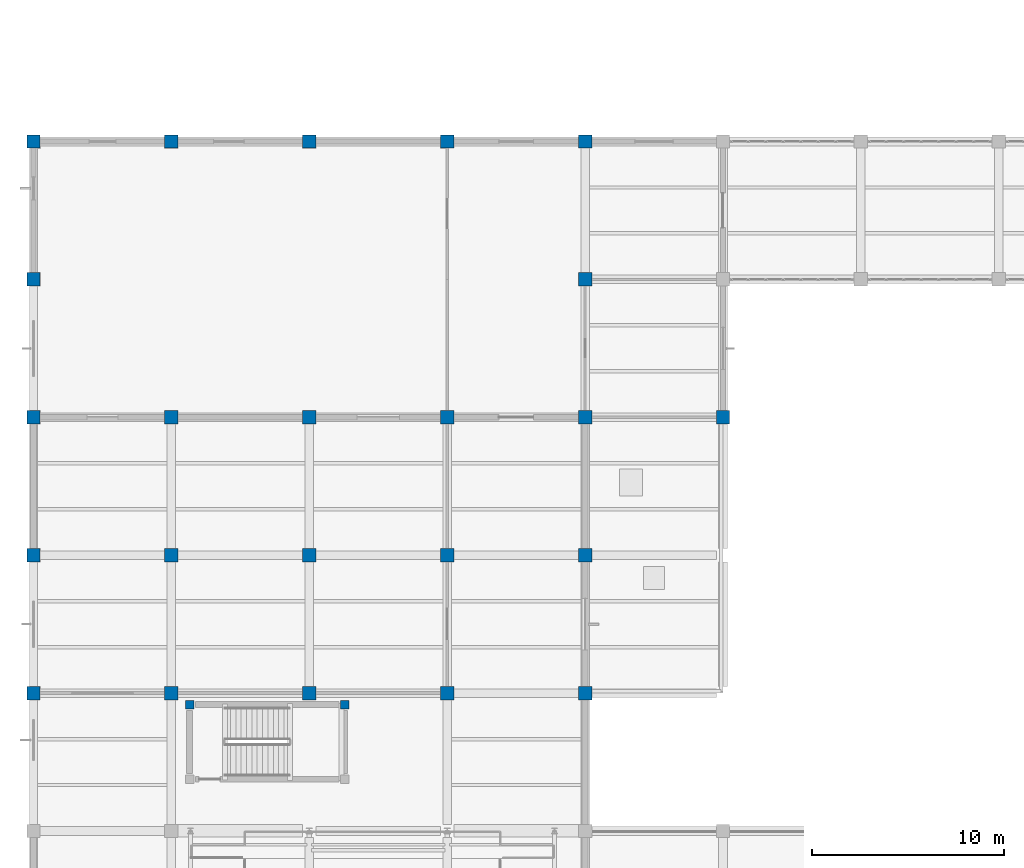
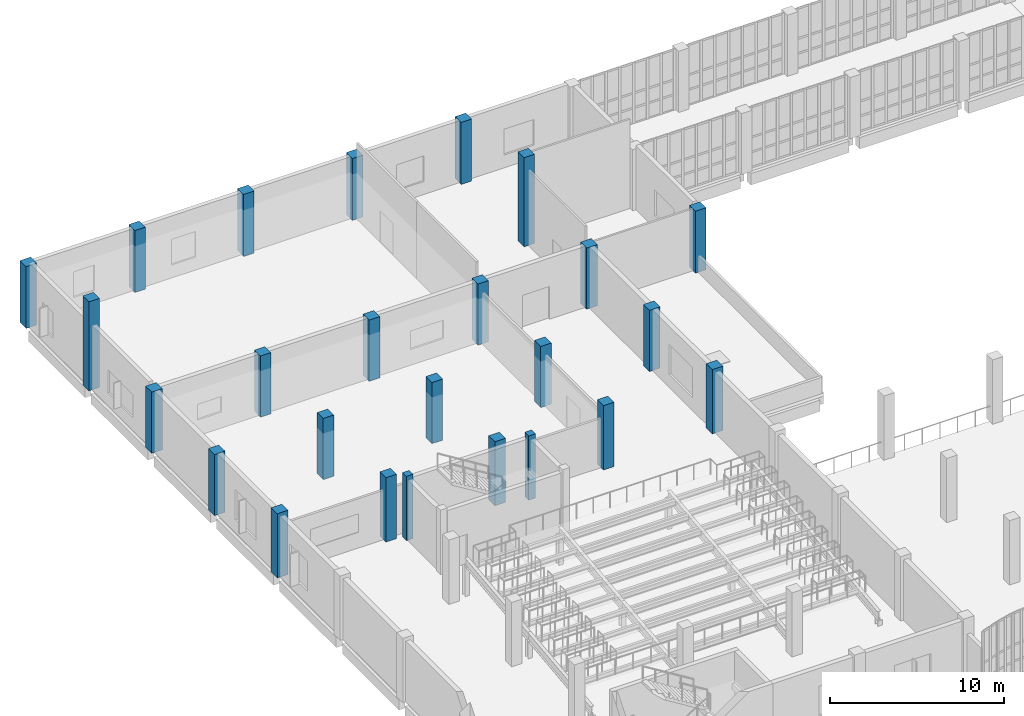
# One storey, part 3 of 108: 25 columns.
"""IFC4 building model written with IfcOpenShell, lengths in metres."""

from ifc_helpers import new_model, si_unit, direction, frame, origin, origin_2d, place, context, subcontext, project, spatial, rectangle, extrude, material, material_profile, profile_set, type_object, element, save


model = new_model("IFC4")

# Units and contexts
model_context = context("Model", 3, precision=1e-05, world=origin(), true_north=direction((0.0, 1.0)))
body_context = subcontext(model_context, "Body", "Model", "MODEL_VIEW")
ifc_project = project(units=[si_unit("LENGTHUNIT", "METRE"), si_unit("AREAUNIT", "SQUARE_METRE"), si_unit("VOLUMEUNIT", "CUBIC_METRE"), si_unit("PLANEANGLEUNIT", "RADIAN"), si_unit("MASSUNIT", "GRAM", prefix="KILO"), si_unit("THERMODYNAMICTEMPERATUREUNIT", "KELVIN"), si_unit("POWERUNIT", "WATT")], contexts=[model_context])

# Site, building, storey
site_placement = place(None, origin())
site = spatial("IfcSite", under=ifc_project, at=site_placement, CompositionType="ELEMENT")
building_placement = place(site_placement, origin())
building = spatial("IfcBuilding", under=site, at=building_placement, Name="Kaldorven Railside Theatre", CompositionType="ELEMENT")
storey_placement = place(building_placement, frame((0.0, 0.0, 5.39990234375)))
storey = spatial("IfcBuildingStorey", under=building, at=storey_placement, Name="L01", CompositionType="ELEMENT", Elevation=5.39990234375)

# Columns
ifc_material = material(Name="Concrete C40/50", Category="concrete")
ifc_material_profile_1 = material_profile(ifc_material, rectangle(XDim=0.449951171875, YDim=0.449951171875, at=origin_2d()), Name="RC 450x450")
ifc_profile_set_1 = profile_set([ifc_material_profile_1], Name="Concrete C40/50")
column_type_1 = type_object("IfcColumnType", Name="COL-RC450", PredefinedType="COLUMN", material=ifc_profile_set_1)
for number, where, z_axis, x_axis, name in (
    (1, (24.25, 47.39990234375, 0.0), (0.0, 0.0, 1.0), (1.0, 0.0, 0.0), "Core ST-02 L01 Boundary Column CCR-012"),
    (2, (16.14990234375, 47.39990234375, 0.0), (0.0, 0.0, 1.0), (1.0, 0.0, 0.0), "Core ST-02 L01 Boundary Column CCR-015"),
):
    element("IfcColumn", number, at=place(storey_placement, frame(where, z_axis=z_axis, x_axis=x_axis)), inside=storey, type_object=column_type_1, Name=name, PredefinedType="COLUMN", context=body_context, shape_type="SweptSolid", body=[
        extrude(rectangle(XDim=0.449951171875, YDim=0.449951171875, at=origin_2d()), origin(), (0.0, 0.0, 1.0), 4.5),
    ])
ifc_material_profile_2 = material_profile(ifc_material, rectangle(XDim=0.699951171875, YDim=0.699951171875, at=origin_2d()), Name="RC 700x700")
ifc_profile_set_2 = profile_set([ifc_material_profile_2], Name="Concrete C40/50")
column_type_2 = type_object("IfcColumnType", Name="COL-RC700", PredefinedType="COLUMN", material=ifc_profile_set_2)
for number, where, z_axis, x_axis, name in (
    (3, (8.0, 48.0, 0.0), (0.0, 0.0, 1.0), (1.0, 0.0, 0.0), "L01 Column CG-L01-008-048"),
    (4, (15.199951171875, 48.0, 0.0), (0.0, 0.0, 1.0), (0.0, 1.0, 0.0), "L01 Column CG-L01-015-048"),
    (5, (22.39990234375, 48.0, 0.0), (0.0, 0.0, 1.0), (1.0, 0.0, 0.0), "L01 Column CG-L01-022-048"),
    (6, (29.60009765625, 48.0, 0.0), (0.0, 0.0, 1.0), (0.0, 1.0, 0.0), "L01 Column CG-L01-029-048"),
    (7, (36.800048828125, 48.0, 0.0), (0.0, 0.0, 1.0), (1.0, 0.0, 0.0), "L01 Column CG-L01-036-048"),
):
    element("IfcColumn", number, at=place(storey_placement, frame(where, z_axis=z_axis, x_axis=x_axis)), inside=storey, type_object=column_type_2, Name=name, PredefinedType="COLUMN", context=body_context, shape_type="SweptSolid", body=[
        extrude(rectangle(XDim=0.699951171875, YDim=0.699951171875, at=origin_2d()), origin(), (0.0, 0.0, 1.0), 4.5),
    ])
for number, where, z_axis, x_axis, name in (
    (8, (8.0, 55.199951171875, 0.0), (0.0, 0.0, 1.0), (0.0, 1.0, 0.0), "L01 Column CG-L01-008-055"),
    (9, (15.199951171875, 55.199951171875, 0.0), (0.0, 0.0, 1.0), (1.0, 0.0, 0.0), "L01 Column CG-L01-015-055"),
    (10, (22.39990234375, 55.199951171875, 0.0), (0.0, 0.0, 1.0), (0.0, 1.0, 0.0), "L01 Column CG-L01-022-055"),
    (11, (29.60009765625, 55.199951171875, 0.0), (0.0, 0.0, 1.0), (1.0, 0.0, 0.0), "L01 Column CG-L01-029-055"),
    (12, (36.800048828125, 55.199951171875, 0.0), (0.0, 0.0, 1.0), (1.0, 0.0, 0.0), "L01 Column CG-L01-036-055"),
    (13, (8.0, 62.39990234375, 0.0), (0.0, 0.0, 1.0), (1.0, 0.0, 0.0), "L01 Column CG-L01-008-062"),
    (14, (15.199951171875, 62.39990234375, 0.0), (0.0, 0.0, 1.0), (0.0, 1.0, 0.0), "L01 Column CG-L01-015-062"),
    (15, (22.39990234375, 62.39990234375, 0.0), (0.0, 0.0, 1.0), (1.0, 0.0, 0.0), "L01 Column CG-L01-022-062"),
    (16, (29.60009765625, 62.39990234375, 0.0), (0.0, 0.0, 1.0), (1.0, 0.0, 0.0), "L01 Column CG-L01-029-062"),
    (17, (36.800048828125, 62.39990234375, 0.0), (0.0, 0.0, 1.0), (0.0, 1.0, 0.0), "L01 Column CG-L01-036-062"),
):
    element("IfcColumn", number, at=place(storey_placement, frame(where, z_axis=z_axis, x_axis=x_axis)), inside=storey, type_object=column_type_2, Name=name, PredefinedType="COLUMN", context=body_context, shape_type="SweptSolid", body=[
        extrude(rectangle(XDim=0.699951171875, YDim=0.699951171875, at=origin_2d()), origin(), (0.0, 0.0, 1.0), 4.280029296875),
    ])
column_placement = place(storey_placement, frame((44.0, 62.39990234375, 0.0), z_axis=(0.0, 0.0, 1.0), x_axis=(1.0, 0.0, 0.0)))
element("IfcColumn", 18, at=column_placement, inside=storey, type_object=column_type_2, Name="L01 Column CG-L01-044-062", PredefinedType="COLUMN", context=body_context, shape_type="SweptSolid", body=[
    extrude(rectangle(XDim=0.699951171875, YDim=0.699951171875, at=origin_2d()), origin(), (0.0, 0.0, 1.0), 4.333740234375),
])
for number, where, z_axis, x_axis, name in (
    (19, (8.0, 69.60009765625, 0.0), (0.0, 0.0, 1.0), (0.0, 1.0, 0.0), "L01 Column CG-L01-008-069"),
    (20, (36.800048828125, 69.60009765625, 0.0), (0.0, 0.0, 1.0), (1.0, 0.0, 0.0), "L01 Column CG-L01-036-069"),
):
    element("IfcColumn", number, at=place(storey_placement, frame(where, z_axis=z_axis, x_axis=x_axis)), inside=storey, type_object=column_type_2, Name=name, PredefinedType="COLUMN", context=body_context, shape_type="SweptSolid", body=[
        extrude(rectangle(XDim=0.699951171875, YDim=0.699951171875, at=origin_2d()), origin(), (0.0, 0.0, 1.0), 6.23388671875),
    ])
for number, where, z_axis, x_axis, name in (
    (21, (8.0, 76.800048828125, 0.0), (0.0, 0.0, 1.0), (1.0, 0.0, 0.0), "L01 Column CG-L01-008-076"),
    (22, (15.199951171875, 76.800048828125, 0.0), (0.0, 0.0, 1.0), (1.0, 0.0, 0.0), "L01 Column CG-L01-015-076"),
    (23, (22.39990234375, 76.800048828125, 0.0), (0.0, 0.0, 1.0), (0.0, 1.0, 0.0), "L01 Column CG-L01-022-076"),
    (24, (29.60009765625, 76.800048828125, 0.0), (0.0, 0.0, 1.0), (1.0, 0.0, 0.0), "L01 Column CG-L01-029-076"),
    (25, (36.800048828125, 76.800048828125, 0.0), (0.0, 0.0, 1.0), (0.0, 1.0, 0.0), "L01 Column CG-L01-036-076"),
):
    element("IfcColumn", number, at=place(storey_placement, frame(where, z_axis=z_axis, x_axis=x_axis)), inside=storey, type_object=column_type_2, Name=name, PredefinedType="COLUMN", context=body_context, shape_type="SweptSolid", body=[
        extrude(rectangle(XDim=0.699951171875, YDim=0.699951171875, at=origin_2d()), origin(), (0.0, 0.0, 1.0), 4.333740234375),
    ])

save(model, "model.ifc")
